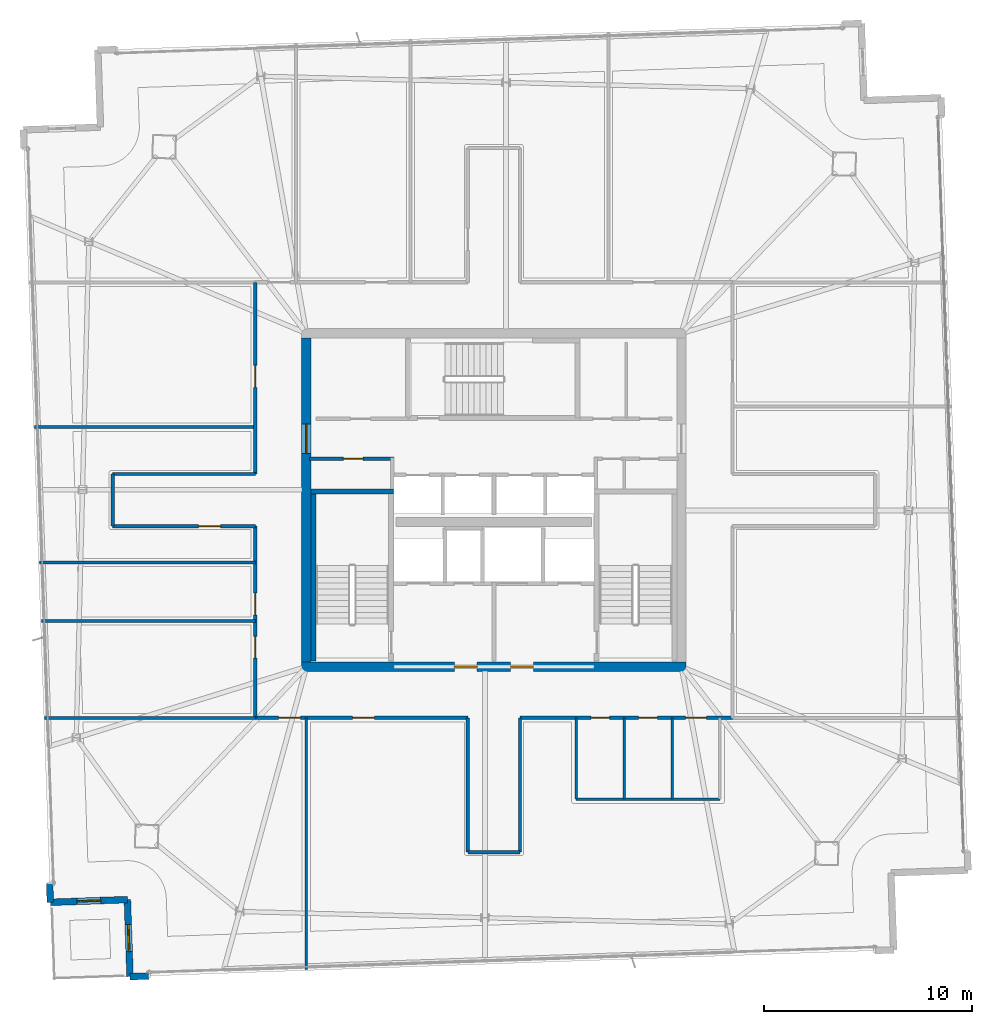
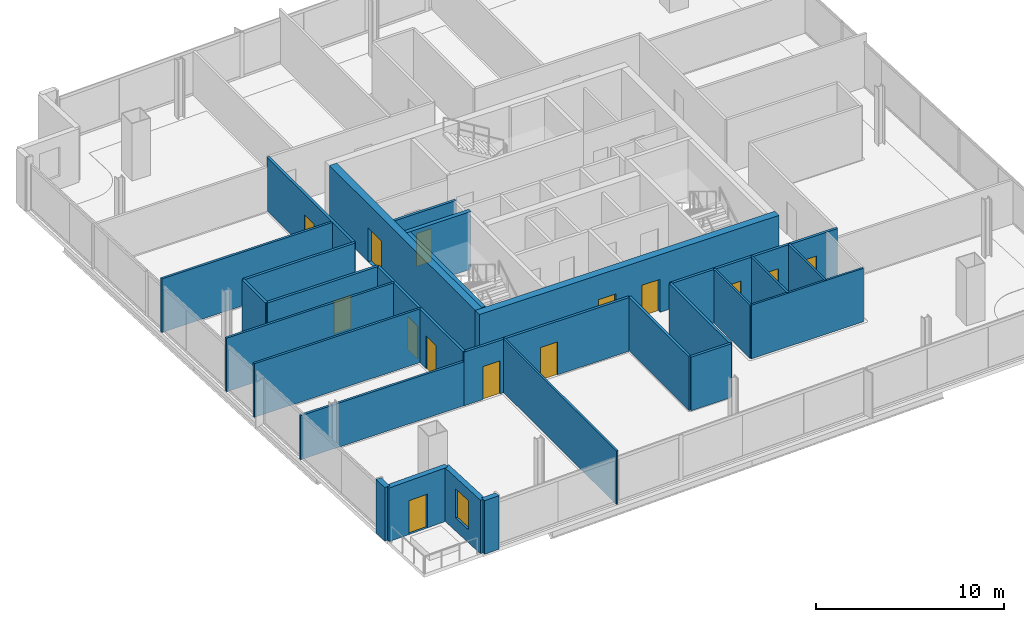
# One storey, part 17 of 23: 28 walls, 14 doors, 1 window, 15 openings.
"""IFC4 building model written with IfcOpenShell, lengths in metres."""

from ifc_helpers import new_model, si_unit, direction, frame, frame_2d, origin, place, context, subcontext, project, spatial, rectangle, extrude, material, layer, layer_set, type_object, element, fill, save


model = new_model("IFC4")

# Units and contexts
model_context = context("Model", 3, precision=1e-05, world=origin(), true_north=direction((0.0, 1.0)))
body_context = subcontext(model_context, "Body", "Model", "MODEL_VIEW")
ifc_project = project(units=[si_unit("LENGTHUNIT", "METRE"), si_unit("AREAUNIT", "SQUARE_METRE"), si_unit("VOLUMEUNIT", "CUBIC_METRE"), si_unit("PLANEANGLEUNIT", "RADIAN"), si_unit("MASSUNIT", "GRAM", prefix="KILO")], contexts=[model_context])

# Site, building, storey
site_placement = place(None, origin())
site = spatial("IfcSite", under=ifc_project, at=site_placement, CompositionType="ELEMENT")
building_placement = place(site_placement, origin())
building = spatial("IfcBuilding", under=site, at=building_placement, Name="Haldenkirk Collegiate Tower", CompositionType="ELEMENT")
storey_placement = place(building_placement, frame((0.0, 0.0, 336.449951171875)))
storey = spatial("IfcBuildingStorey", under=building, at=storey_placement, Name="L85", CompositionType="ELEMENT", Elevation=336.449951171875)

# Wall, openings, doors
ifc_material_1 = material(Name="Concrete f'c 55 MPa", Category="concrete")
ifc_layer_1 = layer(ifc_material_1, 0.449951171875)
ifc_layer_set_1 = layer_set([ifc_layer_1], Name="Concrete f'c 55 MPa")
wall_type_1 = type_object("IfcWallType", Name="WL-CORE-450", PredefinedType="SHEAR", material=ifc_layer_set_1)
wall_1_placement = place(storey_placement, frame((26.77490234375, 18.0, 0.0), z_axis=(0.0, 0.0, 1.0), x_axis=(1.0, 0.0, 0.0)))
wall_1 = element("IfcWall", 1, at=wall_1_placement, inside=storey, type_object=wall_type_1, Name="L85 central core shear wall S", PredefinedType="SHEAR", context=body_context, shape_type="SweptSolid", body=[
    extrude(rectangle(XDim=18.4501953125, YDim=0.449951171875, at=frame_2d((9.22509765625, 0.0))), origin(), (0.0, 0.0, 1.0), 3.75),
])
opening_1_placement = place(wall_1_placement, frame((7.324951171875, 0.0, 0.0)))
opening_1 = element("IfcOpeningElement", 2, at=opening_1_placement, cuts=wall_1, Name="Opening D-02", PredefinedType="OPENING", context=body_context, shape_type="SweptSolid", body=[
    extrude(rectangle(XDim=1.10009765625, YDim=2.14990234375, at=frame_2d((0.550048828125, 1.074951171875))), frame((0.0, 0.23486328125, 0.0), z_axis=(0.0, -1.0, 0.0), x_axis=(1.0, 0.0, 0.0)), (0.0, 0.0, 1.0), 0.469970703125),
])
opening_2_placement = place(wall_1_placement, frame((10.02490234375, 0.0, 0.0)))
opening_2 = element("IfcOpeningElement", 3, at=opening_2_placement, cuts=wall_1, Name="Opening D-02", PredefinedType="OPENING", context=body_context, shape_type="SweptSolid", body=[
    extrude(rectangle(XDim=1.10009765625, YDim=2.14990234375, at=frame_2d((0.550048828125, 1.074951171875))), frame((0.0, 0.23486328125, 0.0), z_axis=(0.0, -1.0, 0.0), x_axis=(1.0, 0.0, 0.0)), (0.0, 0.0, 1.0), 0.469970703125),
])
ifc_material_2 = material(Name="Galvanized fire-rated hollow steel door", Category="steel")
ifc_layer_2 = layer(ifc_material_2, 0.06005859375)
ifc_layer_set_2 = layer_set([ifc_layer_2], Name="Galvanized fire-rated hollow steel door")
door_type_1 = type_object("IfcDoorType", Name="DR-STAIR-FD90-1100", OperationType="NOTDEFINED", PredefinedType="DOOR", material=ifc_layer_set_2)
door_1_placement = place(opening_1_placement, origin())
door_1 = element("IfcDoor", 4, at=door_1_placement, inside=storey, type_object=door_type_1, Name="L85 Firefighting Lobby 1 door", OperationType="SINGLE_SWING_LEFT", OverallHeight=2.14990234375, OverallWidth=1.10009765625, PredefinedType="DOOR", context=body_context, shape_type="SweptSolid", body=[
    extrude(rectangle(XDim=1.10009765625, YDim=2.14990234375, at=frame_2d((0.550048828125, 1.074951171875))), frame((0.0, 0.02490234375, 0.0), z_axis=(0.0, -1.0, 0.0), x_axis=(1.0, 0.0, 0.0)), (0.0, 0.0, 1.0), 0.050048828125),
])
fill(opening_1, door_1)
door_2_placement = place(opening_2_placement, origin())
door_2 = element("IfcDoor", 5, at=door_2_placement, inside=storey, type_object=door_type_1, Name="L85 Firefighting Lobby 2 door", OperationType="SINGLE_SWING_RIGHT", OverallHeight=2.14990234375, OverallWidth=1.10009765625, PredefinedType="DOOR", context=body_context, shape_type="SweptSolid", body=[
    extrude(rectangle(XDim=1.10009765625, YDim=2.14990234375, at=frame_2d((0.550048828125, 1.074951171875))), frame((0.0, 0.02490234375, 0.0), z_axis=(0.0, -1.0, 0.0), x_axis=(1.0, 0.0, 0.0)), (0.0, 0.0, 1.0), 0.050048828125),
])
fill(opening_2, door_2)

# Wall, opening, door
wall_2_placement = place(storey_placement, frame((27.0, 18.22509765625, 0.0), z_axis=(0.0, 0.0, 1.0), x_axis=(0.0, 1.0, 0.0)))
wall_2 = element("IfcWall", 6, at=wall_2_placement, inside=storey, type_object=wall_type_1, Name="L85 central core shear wall W", PredefinedType="SHEAR", context=body_context, shape_type="SweptSolid", body=[
    extrude(rectangle(XDim=15.5498046875, YDim=0.449951171875, at=frame_2d((7.77490234375, 0.0))), origin(), (0.0, 0.0, 1.0), 3.75),
])
opening_3_placement = place(wall_2_placement, frame((10.014892578125, 0.0, 0.0)))
opening_3 = element("IfcOpeningElement", 7, at=opening_3_placement, cuts=wall_2, Name="Opening D-03", PredefinedType="OPENING", context=body_context, shape_type="SweptSolid", body=[
    extrude(rectangle(XDim=1.39990234375, YDim=2.199951171875, at=frame_2d((0.699951171875, 1.10009765625))), frame((0.0, 0.23486328125, 0.0), z_axis=(0.0, -1.0, 0.0), x_axis=(1.0, 0.0, 0.0)), (0.0, 0.0, 1.0), 0.469970703125),
])
ifc_layer_3 = layer(ifc_material_2, 0.06005859375)
ifc_layer_set_3 = layer_set([ifc_layer_3], Name="Galvanized fire-rated hollow steel door")
door_type_2 = type_object("IfcDoorType", Name="DR-LOBBY-FD90-1400", OperationType="NOTDEFINED", PredefinedType="DOOR", material=ifc_layer_set_3)
door_3_placement = place(opening_3_placement, origin())
door_3 = element("IfcDoor", 8, at=door_3_placement, inside=storey, type_object=door_type_2, Name="L85 west lift lobby portal", OperationType="DOUBLE_DOOR_SINGLE_SWING", OverallHeight=2.199951171875, OverallWidth=1.39990234375, PredefinedType="DOOR", context=body_context, shape_type="SweptSolid", body=[
    extrude(rectangle(XDim=1.39990234375, YDim=2.199951171875, at=frame_2d((0.699951171875, 1.10009765625))), frame((0.0, 0.02490234375, 0.0), z_axis=(0.0, -1.0, 0.0), x_axis=(1.0, 0.0, 0.0)), (0.0, 0.0, 1.0), 0.050048828125),
])
fill(opening_3, door_3)

# Wall
ifc_material_3 = material(Name="Precast concrete f'c 40 MPa", Category="concrete")
ifc_layer_4 = layer(ifc_material_3, 0.320068359375)
ifc_layer_set_4 = layer_set([ifc_layer_4], Name="Precast concrete f'c 40 MPa")
wall_type_2 = type_object("IfcWallType", Name="WL-EXT-TWR-320", PredefinedType="STANDARD", material=ifc_layer_set_4)
wall_3_placement = place(storey_placement, frame((14.710693359375, 6.6953125, 0.0), z_axis=(0.0, 0.0, 1.0), x_axis=(-0.034723889474, 0.999396943912, 0.0)))
element("IfcWall", 9, at=wall_3_placement, inside=storey, type_object=wall_type_2, Name="L85 precast corner pier NL", PredefinedType="STANDARD", context=body_context, shape_type="SweptSolid", body=[
    extrude(rectangle(XDim=0.89990234375, YDim=0.320068359375, at=frame_2d((0.449951171875, 0.0))), origin(), (0.0, 0.0, 1.0), 3.489990234375),
])

# Wall, opening, door
wall_4_placement = place(storey_placement, frame((18.408447265625, 6.824462890625, 0.0), z_axis=(0.0, 0.0, 1.0), x_axis=(-0.999390619817, -0.034905429677, 0.0)))
wall_4 = element("IfcWall", 10, at=wall_4_placement, inside=storey, type_object=wall_type_2, Name="L85 bronze precast notch wall 08", PredefinedType="STANDARD", context=body_context, shape_type="SweptSolid", body=[
    extrude(rectangle(XDim=3.699951171875, YDim=0.320068359375, at=frame_2d((1.85009765625, 0.0))), origin(), (0.0, 0.0, 1.0), 3.489990234375),
])
opening_4_placement = place(wall_4_placement, frame((1.27490234375, 0.0, 0.0)))
opening_4 = element("IfcOpeningElement", 11, at=opening_4_placement, cuts=wall_4, Name="Opening D-ST11", PredefinedType="OPENING", context=body_context, shape_type="SweptSolid", body=[
    extrude(rectangle(XDim=1.14990234375, YDim=2.199951171875, at=frame_2d((0.574951171875, 1.10009765625))), frame((0.0, 0.169921875, 0.0), z_axis=(0.0, -1.0, 0.0), x_axis=(1.0, 0.0, 0.0)), (0.0, 0.0, 1.0), 0.340087890625),
])
ifc_material_4 = material(Name="Anodised architectural bronze aluminium", Category="aluminium")
ifc_layer_5 = layer(ifc_material_4, 0.080078125)
ifc_layer_set_5 = layer_set([ifc_layer_5], Name="Anodised architectural bronze aluminium")
door_type_3 = type_object("IfcDoorType", Name="DR-EXT-STER-1150", OperationType="NOTDEFINED", PredefinedType="DOOR", material=ifc_layer_set_5)
door_4_placement = place(opening_4_placement, origin())
door_4 = element("IfcDoor", 12, at=door_4_placement, inside=storey, type_object=door_type_3, Name="L85 spiralling terrace door", OperationType="SINGLE_SWING_RIGHT", OverallHeight=2.199951171875, OverallWidth=1.14990234375, PredefinedType="DOOR", context=body_context, shape_type="SweptSolid", body=[
    extrude(rectangle(XDim=1.14990234375, YDim=2.199951171875, at=frame_2d((0.574951171875, 1.10009765625))), frame((0.0, 0.02490234375, 0.0), z_axis=(0.0, -1.0, 0.0), x_axis=(1.0, 0.0, 0.0)), (0.0, 0.0, 1.0), 0.050048828125),
])
fill(opening_4, door_4)

# Wall, opening, window
wall_5_placement = place(storey_placement, frame((18.53759765625, 3.126708984375, 0.0), z_axis=(0.0, 0.0, 1.0), x_axis=(-0.034905429677, 0.999390619817, 0.0)))
wall_5 = element("IfcWall", 13, at=wall_5_placement, inside=storey, type_object=wall_type_2, Name="L85 bronze precast notch wall 09", PredefinedType="STANDARD", context=body_context, shape_type="SweptSolid", body=[
    extrude(rectangle(XDim=3.699951171875, YDim=0.320068359375, at=frame_2d((1.85009765625, 0.0))), origin(), (0.0, 0.0, 1.0), 3.489990234375),
])
opening_5_placement = place(wall_5_placement, frame((1.199951171875, 0.0, 0.85009765625)))
opening_5 = element("IfcOpeningElement", 14, at=opening_5_placement, cuts=wall_5, Name="Opening W-08", PredefinedType="OPENING", context=body_context, shape_type="SweptSolid", body=[
    extrude(rectangle(XDim=1.300048828125, YDim=1.89990234375, at=frame_2d((0.64990234375, 0.949951171875))), frame((0.0, 0.169921875, 0.0), z_axis=(0.0, -1.0, 0.0), x_axis=(1.0, 0.0, 0.0)), (0.0, 0.0, 1.0), 0.340087890625),
])
ifc_material_5 = material(Name="Low-E argon triple insulating glass", Category="glass")
ifc_layer_6 = layer(ifc_material_5, 0.090087890625)
ifc_layer_set_6 = layer_set([ifc_layer_6], Name="Low-E argon triple insulating glass")
window_type = type_object("IfcWindowType", Name="WN-Z6-1300X1900", PartitioningType="SINGLE_PANEL", PredefinedType="WINDOW", material=ifc_layer_set_6)
window_placement = place(opening_5_placement, origin())
window = element("IfcWindow", 15, at=window_placement, inside=storey, type_object=window_type, Name="L85 precast-frame academic window 8", OverallHeight=1.89990234375, OverallWidth=1.300048828125, PartitioningType="SINGLE_PANEL", PredefinedType="WINDOW", context=body_context, shape_type="SweptSolid", body=[
    extrude(rectangle(XDim=1.300048828125, YDim=1.89990234375, at=frame_2d((0.64990234375, 0.949951171875))), frame((0.0, 0.030029296875, 0.0), z_axis=(0.0, -1.0, 0.0), x_axis=(1.0, 0.0, 0.0)), (0.0, 0.0, 1.0), 0.06005859375),
])
fill(opening_5, window)

# Wall
wall_6_placement = place(storey_placement, frame((19.43701171875, 3.157958984375, 0.0), z_axis=(0.0, 0.0, 1.0), x_axis=(-0.999396943912, -0.034723889474, 0.0)))
element("IfcWall", 16, at=wall_6_placement, inside=storey, type_object=wall_type_2, Name="L85 precast corner pier WR", PredefinedType="STANDARD", context=body_context, shape_type="SweptSolid", body=[
    extrude(rectangle(XDim=0.89990234375, YDim=0.320068359375, at=frame_2d((0.449951171875, 0.0))), origin(), (0.0, 0.0, 1.0), 3.489990234375),
])

# Wall, opening, door
ifc_material_6 = material(Name="Acoustic fire-rated gypsum partition", Category="concrete")
ifc_layer_7 = layer(ifc_material_6, 0.159912109375)
ifc_layer_set_7 = layer_set([ifc_layer_7], Name="Acoustic fire-rated gypsum partition")
wall_type_3 = type_object("IfcWallType", Name="WL-INT-CORR-160", PredefinedType="PARTITIONING", material=ifc_layer_set_7)
wall_7_placement = place(storey_placement, frame((27.14990234375, 27.97998046875, 0.0), z_axis=(0.0, 0.0, 1.0), x_axis=(1.0, 0.0, 0.0)))
wall_7 = element("IfcWall", 17, at=wall_7_placement, inside=storey, type_object=wall_type_3, Name="L85 interior partition IW-L85-VCSW-N", PredefinedType="PARTITIONING", context=body_context, shape_type="SweptSolid", body=[
    extrude(rectangle(XDim=4.050048828125, YDim=0.159912109375, at=frame_2d((2.02490234375, 0.0))), origin(), (0.0, 0.0, 1.0), 3.489990234375),
])
opening_6_placement = place(wall_7_placement, frame((1.625, 0.0, 0.0)))
opening_6 = element("IfcOpeningElement", 18, at=opening_6_placement, cuts=wall_7, Name="Opening D-10", PredefinedType="OPENING", context=body_context, shape_type="SweptSolid", body=[
    extrude(rectangle(XDim=0.949951171875, YDim=2.14990234375, at=frame_2d((0.47509765625, 1.074951171875))), frame((0.0, 0.08984375, 0.0), z_axis=(0.0, -1.0, 0.0), x_axis=(1.0, 0.0, 0.0)), (0.0, 0.0, 1.0), 0.179931640625),
])
ifc_material_7 = material(Name="Solid-core architectural oak fire door", Category="wood")
ifc_layer_8 = layer(ifc_material_7, 0.06005859375)
ifc_layer_set_8 = layer_set([ifc_layer_8], Name="Solid-core architectural oak fire door")
door_type_4 = type_object("IfcDoorType", Name="DR-INT-FD60-950", OperationType="NOTDEFINED", PredefinedType="DOOR", material=ifc_layer_set_8)
door_5_placement = place(opening_6_placement, origin())
door_5 = element("IfcDoor", 19, at=door_5_placement, inside=storey, type_object=door_type_4, Name="L85 core tea pantry door", OperationType="SINGLE_SWING_RIGHT", OverallHeight=2.14990234375, OverallWidth=0.949951171875, PredefinedType="DOOR", context=body_context, shape_type="SweptSolid", body=[
    extrude(rectangle(XDim=0.949951171875, YDim=2.14990234375, at=frame_2d((0.47509765625, 1.074951171875))), frame((0.0, 0.02490234375, 0.0), z_axis=(0.0, -1.0, 0.0), x_axis=(1.0, 0.0, 0.0)), (0.0, 0.0, 1.0), 0.050048828125),
])
fill(opening_6, door_5)

# Wall, openings, doors
wall_8_placement = place(storey_placement, frame((24.5, 15.550048828125, 0.0), z_axis=(0.0, 0.0, 1.0), x_axis=(1.0, 0.0, 0.0)))
wall_8 = element("IfcWall", 20, at=wall_8_placement, inside=storey, type_object=wall_type_3, Name="L85 interior partition IW-L85-CS1", PredefinedType="PARTITIONING", context=body_context, shape_type="SweptSolid", body=[
    extrude(rectangle(XDim=10.25, YDim=0.159912109375, at=frame_2d((5.125, 0.0))), origin(), (0.0, 0.0, 1.0), 3.489990234375),
])
opening_7_placement = place(wall_8_placement, frame((1.169921875, 0.0, 0.0)))
opening_7 = element("IfcOpeningElement", 21, at=opening_7_placement, cuts=wall_8, Name="Opening D-09", PredefinedType="OPENING", context=body_context, shape_type="SweptSolid", body=[
    extrude(rectangle(XDim=1.050048828125, YDim=2.14990234375, at=frame_2d((0.52490234375, 1.074951171875))), frame((0.0, 0.08984375, 0.0), z_axis=(0.0, -1.0, 0.0), x_axis=(1.0, 0.0, 0.0)), (0.0, 0.0, 1.0), 0.179931640625),
])
opening_8_placement = place(wall_8_placement, frame((4.714111328125, 0.0, 0.0)))
opening_8 = element("IfcOpeningElement", 22, at=opening_8_placement, cuts=wall_8, Name="Opening D-09", PredefinedType="OPENING", context=body_context, shape_type="SweptSolid", body=[
    extrude(rectangle(XDim=1.050048828125, YDim=2.14990234375, at=frame_2d((0.52490234375, 1.074951171875))), frame((0.0, 0.08984375, 0.0), z_axis=(0.0, -1.0, 0.0), x_axis=(1.0, 0.0, 0.0)), (0.0, 0.0, 1.0), 0.179931640625),
])
ifc_layer_9 = layer(ifc_material_7, 0.06005859375)
ifc_layer_set_9 = layer_set([ifc_layer_9], Name="Solid-core architectural oak fire door")
door_type_5 = type_object("IfcDoorType", Name="DR-INT-FD60-1050", OperationType="NOTDEFINED", PredefinedType="DOOR", material=ifc_layer_set_9)
door_6_placement = place(opening_7_placement, origin())
door_6 = element("IfcDoor", 23, at=door_6_placement, inside=storey, type_object=door_type_5, Name="L85 Special Collections Archive 1 door", OperationType="SINGLE_SWING_LEFT", OverallHeight=2.14990234375, OverallWidth=1.050048828125, PredefinedType="DOOR", context=body_context, shape_type="SweptSolid", body=[
    extrude(rectangle(XDim=1.050048828125, YDim=2.14990234375, at=frame_2d((0.52490234375, 1.074951171875))), frame((0.0, 0.02490234375, 0.0), z_axis=(0.0, -1.0, 0.0), x_axis=(1.0, 0.0, 0.0)), (0.0, 0.0, 1.0), 0.050048828125),
])
fill(opening_7, door_6)
door_7_placement = place(opening_8_placement, origin())
door_7 = element("IfcDoor", 24, at=door_7_placement, inside=storey, type_object=door_type_5, Name="L85 Rare Folio Vault 2 door", OperationType="SINGLE_SWING_RIGHT", OverallHeight=2.14990234375, OverallWidth=1.050048828125, PredefinedType="DOOR", context=body_context, shape_type="SweptSolid", body=[
    extrude(rectangle(XDim=1.050048828125, YDim=2.14990234375, at=frame_2d((0.52490234375, 1.074951171875))), frame((0.0, 0.02490234375, 0.0), z_axis=(0.0, -1.0, 0.0), x_axis=(1.0, 0.0, 0.0)), (0.0, 0.0, 1.0), 0.050048828125),
])
fill(opening_8, door_7)

wall_9_placement = place(storey_placement, frame((37.25, 15.550048828125, 0.0), z_axis=(0.0, 0.0, 1.0), x_axis=(1.0, 0.0, 0.0)))
wall_9 = element("IfcWall", 25, at=wall_9_placement, inside=storey, type_object=wall_type_3, Name="L85 interior partition IW-L85-CS2", PredefinedType="PARTITIONING", context=body_context, shape_type="SweptSolid", body=[
    extrude(rectangle(XDim=10.25, YDim=0.159912109375, at=frame_2d((5.125, 0.0))), origin(), (0.0, 0.0, 1.0), 3.489990234375),
])
opening_9_placement = place(wall_9_placement, frame((3.39990234375, 0.0, 0.0)))
opening_9 = element("IfcOpeningElement", 26, at=opening_9_placement, cuts=wall_9, Name="Opening D-13", PredefinedType="OPENING", context=body_context, shape_type="SweptSolid", body=[
    extrude(rectangle(XDim=0.89990234375, YDim=2.14990234375, at=frame_2d((0.449951171875, 1.074951171875))), frame((0.0, 0.08984375, 0.0), z_axis=(0.0, -1.0, 0.0), x_axis=(1.0, 0.0, 0.0)), (0.0, 0.0, 1.0), 0.179931640625),
])
opening_10_placement = place(wall_9_placement, frame((5.699951171875, 0.0, 0.0)))
opening_10 = element("IfcOpeningElement", 27, at=opening_10_placement, cuts=wall_9, Name="Opening D-13", PredefinedType="OPENING", context=body_context, shape_type="SweptSolid", body=[
    extrude(rectangle(XDim=0.89990234375, YDim=2.14990234375, at=frame_2d((0.449951171875, 1.074951171875))), frame((0.0, 0.08984375, 0.0), z_axis=(0.0, -1.0, 0.0), x_axis=(1.0, 0.0, 0.0)), (0.0, 0.0, 1.0), 0.179931640625),
])
opening_11_placement = place(wall_9_placement, frame((7.949951171875, 0.0, 0.0)))
opening_11 = element("IfcOpeningElement", 28, at=opening_11_placement, cuts=wall_9, Name="Opening D-14", PredefinedType="OPENING", context=body_context, shape_type="SweptSolid", body=[
    extrude(rectangle(XDim=1.0, YDim=2.14990234375, at=frame_2d((0.5, 1.074951171875))), frame((0.0, 0.08984375, 0.0), z_axis=(0.0, -1.0, 0.0), x_axis=(1.0, 0.0, 0.0)), (0.0, 0.0, 1.0), 0.179931640625),
])
ifc_layer_10 = layer(ifc_material_7, 0.06005859375)
ifc_layer_set_10 = layer_set([ifc_layer_10], Name="Solid-core architectural oak fire door")
door_type_6 = type_object("IfcDoorType", Name="DR-INT-ACC-1000", OperationType="NOTDEFINED", PredefinedType="DOOR", material=ifc_layer_set_10)
door_8_placement = place(opening_11_placement, origin())
door_8 = element("IfcDoor", 29, at=door_8_placement, inside=storey, type_object=door_type_6, Name="L85 Accessible WC door", OperationType="SINGLE_SWING_RIGHT", OverallHeight=2.14990234375, OverallWidth=1.0, PredefinedType="DOOR", context=body_context, shape_type="SweptSolid", body=[
    extrude(rectangle(XDim=1.0, YDim=2.14990234375, at=frame_2d((0.5, 1.074951171875))), frame((0.0, 0.02490234375, 0.0), z_axis=(0.0, -1.0, 0.0), x_axis=(1.0, 0.0, 0.0)), (0.0, 0.0, 1.0), 0.050048828125),
])
fill(opening_11, door_8)
ifc_layer_11 = layer(ifc_material_7, 0.06005859375)
ifc_layer_set_11 = layer_set([ifc_layer_11], Name="Solid-core architectural oak fire door")
door_type_7 = type_object("IfcDoorType", Name="DR-INT-STD-900", OperationType="NOTDEFINED", PredefinedType="DOOR", material=ifc_layer_set_11)
door_9_placement = place(opening_9_placement, origin())
door_9 = element("IfcDoor", 30, at=door_9_placement, inside=storey, type_object=door_type_7, Name="L85 Male WC door", OperationType="SINGLE_SWING_RIGHT", OverallHeight=2.14990234375, OverallWidth=0.89990234375, PredefinedType="DOOR", context=body_context, shape_type="SweptSolid", body=[
    extrude(rectangle(XDim=0.89990234375, YDim=2.14990234375, at=frame_2d((0.449951171875, 1.074951171875))), frame((0.0, 0.02490234375, 0.0), z_axis=(0.0, -1.0, 0.0), x_axis=(1.0, 0.0, 0.0)), (0.0, 0.0, 1.0), 0.050048828125),
])
fill(opening_9, door_9)
door_10_placement = place(opening_10_placement, origin())
door_10 = element("IfcDoor", 31, at=door_10_placement, inside=storey, type_object=door_type_7, Name="L85 Female WC door", OperationType="SINGLE_SWING_LEFT", OverallHeight=2.14990234375, OverallWidth=0.89990234375, PredefinedType="DOOR", context=body_context, shape_type="SweptSolid", body=[
    extrude(rectangle(XDim=0.89990234375, YDim=2.14990234375, at=frame_2d((0.449951171875, 1.074951171875))), frame((0.0, 0.02490234375, 0.0), z_axis=(0.0, -1.0, 0.0), x_axis=(1.0, 0.0, 0.0)), (0.0, 0.0, 1.0), 0.050048828125),
])
fill(opening_10, door_10)

wall_10_placement = place(storey_placement, frame((24.550048828125, 15.550048828125, 0.0), z_axis=(0.0, 0.0, 1.0), x_axis=(0.0, 1.0, 0.0)))
wall_10 = element("IfcWall", 32, at=wall_10_placement, inside=storey, type_object=wall_type_3, Name="L85 interior partition IW-L85-CW1", PredefinedType="PARTITIONING", context=body_context, shape_type="SweptSolid", body=[
    extrude(rectangle(XDim=9.199951171875, YDim=0.159912109375, at=frame_2d((4.60009765625, 0.0))), origin(), (0.0, 0.0, 1.0), 3.489990234375),
])
opening_12_placement = place(wall_10_placement, frame((2.863037109375, 0.0, 0.0)))
opening_12 = element("IfcOpeningElement", 33, at=opening_12_placement, cuts=wall_10, Name="Opening D-09", PredefinedType="OPENING", context=body_context, shape_type="SweptSolid", body=[
    extrude(rectangle(XDim=1.050048828125, YDim=2.14990234375, at=frame_2d((0.52490234375, 1.074951171875))), frame((0.0, 0.08984375, 0.0), z_axis=(0.0, -1.0, 0.0), x_axis=(1.0, 0.0, 0.0)), (0.0, 0.0, 1.0), 0.179931640625),
])
opening_13_placement = place(wall_10_placement, frame((4.929931640625, 0.0, 0.0)))
opening_13 = element("IfcOpeningElement", 34, at=opening_13_placement, cuts=wall_10, Name="Opening D-09", PredefinedType="OPENING", context=body_context, shape_type="SweptSolid", body=[
    extrude(rectangle(XDim=1.050048828125, YDim=2.14990234375, at=frame_2d((0.52490234375, 1.074951171875))), frame((0.0, 0.08984375, 0.0), z_axis=(0.0, -1.0, 0.0), x_axis=(1.0, 0.0, 0.0)), (0.0, 0.0, 1.0), 0.179931640625),
])
door_11_placement = place(opening_12_placement, origin())
door_11 = element("IfcDoor", 35, at=door_11_placement, inside=storey, type_object=door_type_5, Name="L85 Special Collections Archive 7 door", OperationType="SINGLE_SWING_LEFT", OverallHeight=2.14990234375, OverallWidth=1.050048828125, PredefinedType="DOOR", context=body_context, shape_type="SweptSolid", body=[
    extrude(rectangle(XDim=1.050048828125, YDim=2.14990234375, at=frame_2d((0.52490234375, 1.074951171875))), frame((0.0, 0.02490234375, 0.0), z_axis=(0.0, -1.0, 0.0), x_axis=(1.0, 0.0, 0.0)), (0.0, 0.0, 1.0), 0.050048828125),
])
fill(opening_12, door_11)
door_12_placement = place(opening_13_placement, origin())
door_12 = element("IfcDoor", 36, at=door_12_placement, inside=storey, type_object=door_type_5, Name="L85 Rare Folio Vault 8 door", OperationType="SINGLE_SWING_RIGHT", OverallHeight=2.14990234375, OverallWidth=1.050048828125, PredefinedType="DOOR", context=body_context, shape_type="SweptSolid", body=[
    extrude(rectangle(XDim=1.050048828125, YDim=2.14990234375, at=frame_2d((0.52490234375, 1.074951171875))), frame((0.0, 0.02490234375, 0.0), z_axis=(0.0, -1.0, 0.0), x_axis=(1.0, 0.0, 0.0)), (0.0, 0.0, 1.0), 0.050048828125),
])
fill(opening_13, door_12)

# Wall, opening, door
wall_11_placement = place(storey_placement, frame((24.550048828125, 27.25, 0.0), z_axis=(0.0, 0.0, 1.0), x_axis=(0.0, 1.0, 0.0)))
wall_11 = element("IfcWall", 37, at=wall_11_placement, inside=storey, type_object=wall_type_3, Name="L85 interior partition IW-L85-CW2", PredefinedType="PARTITIONING", context=body_context, shape_type="SweptSolid", body=[
    extrude(rectangle(XDim=9.199951171875, YDim=0.159912109375, at=frame_2d((4.60009765625, 0.0))), origin(), (0.0, 0.0, 1.0), 3.489990234375),
])
opening_14_placement = place(wall_11_placement, frame((4.159912109375, 0.0, 0.0)))
opening_14 = element("IfcOpeningElement", 38, at=opening_14_placement, cuts=wall_11, Name="Opening D-09", PredefinedType="OPENING", context=body_context, shape_type="SweptSolid", body=[
    extrude(rectangle(XDim=1.050048828125, YDim=2.14990234375, at=frame_2d((0.52490234375, 1.074951171875))), frame((0.0, 0.08984375, 0.0), z_axis=(0.0, -1.0, 0.0), x_axis=(1.0, 0.0, 0.0)), (0.0, 0.0, 1.0), 0.179931640625),
])
door_13_placement = place(opening_14_placement, origin())
door_13 = element("IfcDoor", 39, at=door_13_placement, inside=storey, type_object=door_type_5, Name="L85 Material Specimen Store 10 door", OperationType="SINGLE_SWING_RIGHT", OverallHeight=2.14990234375, OverallWidth=1.050048828125, PredefinedType="DOOR", context=body_context, shape_type="SweptSolid", body=[
    extrude(rectangle(XDim=1.050048828125, YDim=2.14990234375, at=frame_2d((0.52490234375, 1.074951171875))), frame((0.0, 0.02490234375, 0.0), z_axis=(0.0, -1.0, 0.0), x_axis=(1.0, 0.0, 0.0)), (0.0, 0.0, 1.0), 0.050048828125),
])
fill(opening_14, door_13)

# Walls
for number, where, z_axis, x_axis, name in (
    (40, (34.75, 9.10009765625, 0.0), (0.0, 0.0, 1.0), (0.0, 1.0, 0.0), "L85 interior partition IW-L85-SPW"),
    (41, (37.25, 9.10009765625, 0.0), (0.0, 0.0, 1.0), (0.0, 1.0, 0.0), "L85 interior partition IW-L85-SPE"),
):
    element("IfcWall", number, at=place(storey_placement, frame(where, z_axis=z_axis, x_axis=x_axis)), inside=storey, type_object=wall_type_3, Name=name, PredefinedType="PARTITIONING", context=body_context, shape_type="SweptSolid", body=[
        extrude(rectangle(XDim=6.449951171875, YDim=0.159912109375, at=frame_2d((3.22509765625, 0.0))), origin(), (0.0, 0.0, 1.0), 3.489990234375),
    ])
wall_12_placement = place(storey_placement, frame((34.75, 9.10009765625, 0.0), z_axis=(0.0, 0.0, 1.0), x_axis=(1.0, 0.0, 0.0)))
element("IfcWall", 42, at=wall_12_placement, inside=storey, type_object=wall_type_3, Name="L85 interior partition IW-L85-SPS", PredefinedType="PARTITIONING", context=body_context, shape_type="SweptSolid", body=[
    extrude(rectangle(XDim=2.5, YDim=0.159912109375, at=frame_2d((1.25, 0.0))), origin(), (0.0, 0.0, 1.0), 3.489990234375),
])

# Wall, opening, door
wall_13_placement = place(storey_placement, frame((17.699951171875, 24.75, 0.0), z_axis=(0.0, 0.0, 1.0), x_axis=(1.0, 0.0, 0.0)))
wall_13 = element("IfcWall", 43, at=wall_13_placement, inside=storey, type_object=wall_type_3, Name="L85 interior partition IW-L85-WPS", PredefinedType="PARTITIONING", context=body_context, shape_type="SweptSolid", body=[
    extrude(rectangle(XDim=6.85009765625, YDim=0.159912109375, at=frame_2d((3.425048828125, 0.0))), origin(), (0.0, 0.0, 1.0), 3.489990234375),
])
opening_15_placement = place(wall_13_placement, frame((4.133056640625, 0.0, 0.0)))
opening_15 = element("IfcOpeningElement", 44, at=opening_15_placement, cuts=wall_13, Name="Opening D-09", PredefinedType="OPENING", context=body_context, shape_type="SweptSolid", body=[
    extrude(rectangle(XDim=1.050048828125, YDim=2.14990234375, at=frame_2d((0.52490234375, 1.074951171875))), frame((0.0, 0.08984375, 0.0), z_axis=(0.0, -1.0, 0.0), x_axis=(1.0, 0.0, 0.0)), (0.0, 0.0, 1.0), 0.179931640625),
])
door_14_placement = place(opening_15_placement, origin())
door_14 = element("IfcDoor", 45, at=door_14_placement, inside=storey, type_object=door_type_5, Name="L85 Instrument Store Room 9 door", OperationType="SINGLE_SWING_LEFT", OverallHeight=2.14990234375, OverallWidth=1.050048828125, PredefinedType="DOOR", context=body_context, shape_type="SweptSolid", body=[
    extrude(rectangle(XDim=1.050048828125, YDim=2.14990234375, at=frame_2d((0.52490234375, 1.074951171875))), frame((0.0, 0.02490234375, 0.0), z_axis=(0.0, -1.0, 0.0), x_axis=(1.0, 0.0, 0.0)), (0.0, 0.0, 1.0), 0.050048828125),
])
fill(opening_15, door_14)

# Walls
wall_14_placement = place(storey_placement, frame((17.699951171875, 27.25, 0.0), z_axis=(0.0, 0.0, 1.0), x_axis=(1.0, 0.0, 0.0)))
element("IfcWall", 46, at=wall_14_placement, inside=storey, type_object=wall_type_3, Name="L85 interior partition IW-L85-WPN", PredefinedType="PARTITIONING", context=body_context, shape_type="SweptSolid", body=[
    extrude(rectangle(XDim=6.85009765625, YDim=0.159912109375, at=frame_2d((3.425048828125, 0.0))), origin(), (0.0, 0.0, 1.0), 3.489990234375),
])
wall_15_placement = place(storey_placement, frame((17.699951171875, 24.75, 0.0), z_axis=(0.0, 0.0, 1.0), x_axis=(0.0, 1.0, 0.0)))
element("IfcWall", 47, at=wall_15_placement, inside=storey, type_object=wall_type_3, Name="L85 interior partition IW-L85-WPW", PredefinedType="PARTITIONING", context=body_context, shape_type="SweptSolid", body=[
    extrude(rectangle(XDim=2.5, YDim=0.159912109375, at=frame_2d((1.25, 0.0))), origin(), (0.0, 0.0, 1.0), 3.489990234375),
])
ifc_layer_12 = layer(ifc_material_6, 0.139892578125)
ifc_layer_set_12 = layer_set([ifc_layer_12], Name="Acoustic fire-rated gypsum partition")
wall_type_4 = type_object("IfcWallType", Name="WL-INT-DIV-140", PredefinedType="PARTITIONING", material=ifc_layer_set_12)
wall_16_placement = place(storey_placement, frame((14.441650390625, 15.550048828125, 0.0), z_axis=(0.0, 0.0, 1.0), x_axis=(1.0, 0.0, 0.0)))
element("IfcWall", 48, at=wall_16_placement, inside=storey, type_object=wall_type_4, Name="L85 interior partition IW-L85-BWS", PredefinedType="PARTITIONING", context=body_context, shape_type="SweptSolid", body=[
    extrude(rectangle(XDim=10.1083984375, YDim=0.139892578125, at=frame_2d((5.05419921875, 0.0))), origin(), (0.0, 0.0, 1.0), 2.8681640625),
])
wall_17_placement = place(storey_placement, frame((14.279296875, 20.199951171875, 0.0), z_axis=(0.0, 0.0, 1.0), x_axis=(1.0, 0.0, 0.0)))
element("IfcWall", 49, at=wall_17_placement, inside=storey, type_object=wall_type_4, Name="L85 interior partition IW-L85-RW1", PredefinedType="PARTITIONING", context=body_context, shape_type="SweptSolid", body=[
    extrude(rectangle(XDim=10.270751953125, YDim=0.139892578125, at=frame_2d((5.13525390625, 0.0))), origin(), (0.0, 0.0, 1.0), 3.489990234375),
])
wall_18_placement = place(storey_placement, frame((14.181396484375, 23.0, 0.0), z_axis=(0.0, 0.0, 1.0), x_axis=(1.0, 0.0, 0.0)))
element("IfcWall", 50, at=wall_18_placement, inside=storey, type_object=wall_type_4, Name="L85 interior partition IW-L85-RW2", PredefinedType="PARTITIONING", context=body_context, shape_type="SweptSolid", body=[
    extrude(rectangle(XDim=10.36865234375, YDim=0.139892578125, at=frame_2d((5.184326171875, 0.0))), origin(), (0.0, 0.0, 1.0), 3.489990234375),
])
wall_19_placement = place(storey_placement, frame((13.954345703125, 29.5, 0.0), z_axis=(0.0, 0.0, 1.0), x_axis=(1.0, 0.0, 0.0)))
element("IfcWall", 51, at=wall_19_placement, inside=storey, type_object=wall_type_4, Name="L85 interior partition IW-L85-RW3", PredefinedType="PARTITIONING", context=body_context, shape_type="SweptSolid", body=[
    extrude(rectangle(XDim=10.595703125, YDim=0.139892578125, at=frame_2d((5.2978515625, 0.0))), origin(), (0.0, 0.0, 1.0), 3.489990234375),
])
ifc_layer_13 = layer(ifc_material_6, 0.1201171875)
ifc_layer_set_13 = layer_set([ifc_layer_13], Name="Acoustic fire-rated gypsum partition")
wall_type_5 = type_object("IfcWallType", Name="WL-INT-WET-120", PredefinedType="PARTITIONING", material=ifc_layer_set_13)
for number, where, z_axis, x_axis, name in (
    (52, (39.949951171875, 11.64990234375, 0.0), (0.0, 0.0, 1.0), (0.0, 1.0, 0.0), "L85 interior partition IW-L85-WCW"),
    (53, (42.25, 11.64990234375, 0.0), (0.0, 0.0, 1.0), (0.0, 1.0, 0.0), "L85 interior partition IW-L85-WC1"),
    (54, (44.550048828125, 11.64990234375, 0.0), (0.0, 0.0, 1.0), (0.0, 1.0, 0.0), "L85 interior partition IW-L85-WC2"),
):
    element("IfcWall", number, at=place(storey_placement, frame(where, z_axis=z_axis, x_axis=x_axis)), inside=storey, type_object=wall_type_5, Name=name, PredefinedType="PARTITIONING", context=body_context, shape_type="SweptSolid", body=[
        extrude(rectangle(XDim=3.900146484375, YDim=0.1201171875, at=frame_2d((1.9501953125, 0.0))), origin(), (0.0, 0.0, 1.0), 3.489990234375),
    ])
wall_20_placement = place(storey_placement, frame((39.949951171875, 11.64990234375, 0.0), z_axis=(0.0, 0.0, 1.0), x_axis=(1.0, 0.0, 0.0)))
element("IfcWall", 55, at=wall_20_placement, inside=storey, type_object=wall_type_5, Name="L85 interior partition IW-L85-WCB", PredefinedType="PARTITIONING", context=body_context, shape_type="SweptSolid", body=[
    extrude(rectangle(XDim=6.900146484375, YDim=0.1201171875, at=frame_2d((3.4501953125, 0.0))), origin(), (0.0, 0.0, 1.0), 3.489990234375),
])
wall_21_placement = place(storey_placement, frame((27.0, 3.462158203125, 0.0), z_axis=(0.0, 0.0, 1.0), x_axis=(0.0, 1.0, 0.0)))
element("IfcWall", 56, at=wall_21_placement, inside=storey, type_object=wall_type_5, Name="L85 interior partition IW-L85-RS1", PredefinedType="PARTITIONING", context=body_context, shape_type="SweptSolid", body=[
    extrude(rectangle(XDim=12.087890625, YDim=0.1201171875, at=frame_2d((6.0439453125, 0.0))), origin(), (0.0, 0.0, 1.0), 3.489990234375),
])
ifc_layer_14 = layer(ifc_material_1, 0.239990234375)
ifc_layer_set_14 = layer_set([ifc_layer_14], Name="Concrete f'c 55 MPa")
wall_type_6 = type_object("IfcWallType", Name="WL-SHAFT-240", PredefinedType="SHEAR", material=ifc_layer_set_14)
wall_22_placement = place(storey_placement, frame((27.2099609375, 26.419921875, 0.0), z_axis=(0.0, 0.0, 1.0), x_axis=(1.0, 0.0, 0.0)))
element("IfcWall", 57, at=wall_22_placement, inside=storey, type_object=wall_type_6, Name="L85 stair shaft shear wall SW-L85-ST1N", PredefinedType="SHEAR", context=body_context, shape_type="SweptSolid", body=[
    extrude(rectangle(XDim=3.97998046875, YDim=0.239990234375, at=frame_2d((1.989990234375, 0.0))), origin(), (0.0, 0.0, 1.0), 3.75),
])
wall_23_placement = place(storey_placement, frame((27.330078125, 18.280029296875, 0.0), z_axis=(0.0, 0.0, 1.0), x_axis=(0.0, 1.0, 0.0)))
element("IfcWall", 58, at=wall_23_placement, inside=storey, type_object=wall_type_6, Name="L85 stair shaft shear wall SW-L85-ST1W", PredefinedType="SHEAR", context=body_context, shape_type="SweptSolid", body=[
    extrude(rectangle(XDim=8.260009765625, YDim=0.239990234375, at=frame_2d((4.1298828125, 0.0))), origin(), (0.0, 0.0, 1.0), 3.75),
])

save(model, "model.ifc")
